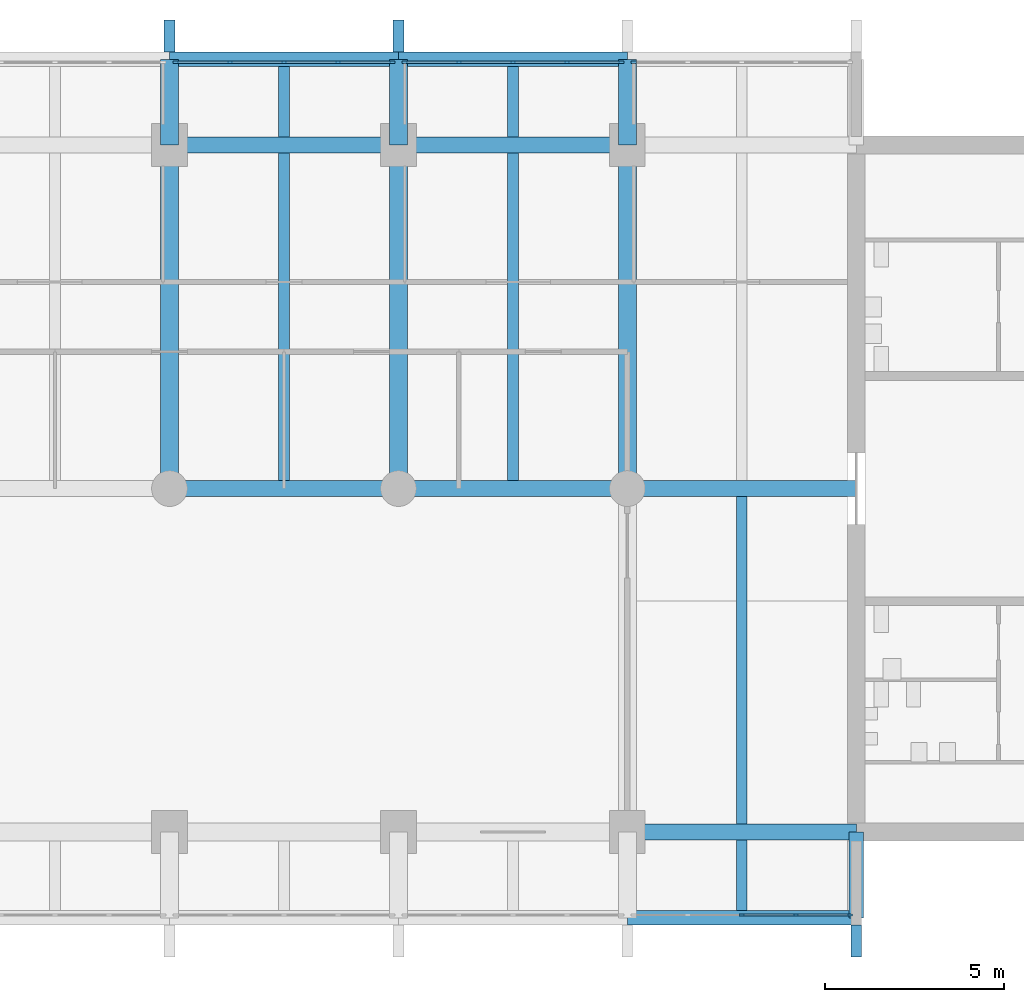
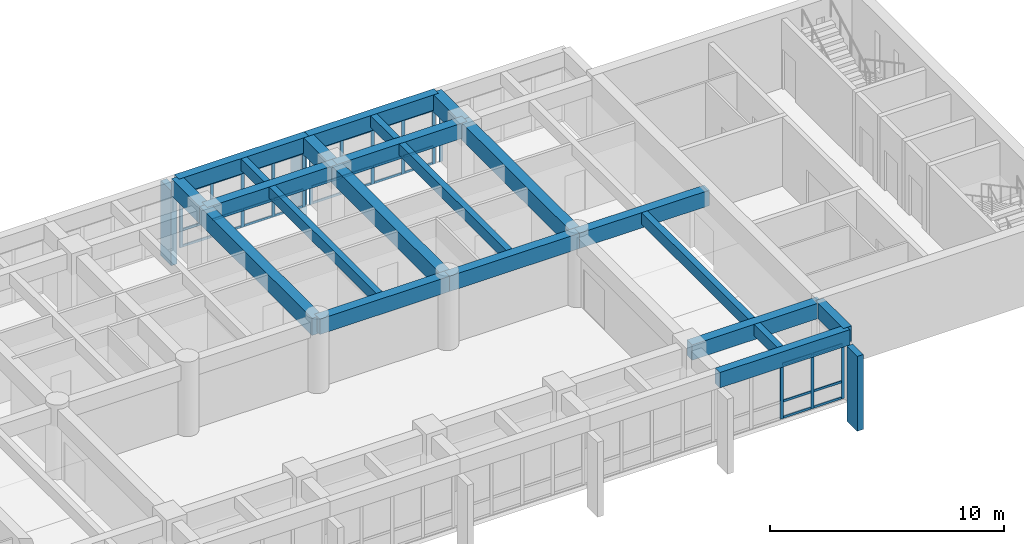
# One storey, part 5 of 15: 47 members, 22 beams, 4 elements without a shape of their own.
"""IFC4 building model written with IfcOpenShell, lengths in metres."""

from ifc_helpers import new_model, si_unit, direction, frame, origin, origin_2d, place, context, subcontext, project, spatial, rectangle, extrude, material, layer, layer_set, material_profile, profile_set, type_object, element, aggregate, save


model = new_model("IFC4")

# Units and contexts
model_context = context("Model", 3, precision=1e-05, world=origin(), true_north=direction((0.0, 1.0)))
body_context = subcontext(model_context, "Body", "Model", "MODEL_VIEW")
ifc_project = project(units=[si_unit("LENGTHUNIT", "METRE"), si_unit("AREAUNIT", "SQUARE_METRE"), si_unit("VOLUMEUNIT", "CUBIC_METRE"), si_unit("PLANEANGLEUNIT", "RADIAN"), si_unit("MASSUNIT", "GRAM", prefix="KILO")], contexts=[model_context])

# Site, building, storey
site_placement = place(None, origin())
site = spatial("IfcSite", under=ifc_project, at=site_placement, CompositionType="ELEMENT")
building_placement = place(site_placement, origin())
building = spatial("IfcBuilding", under=site, at=building_placement, Name="Fogon Plaza Fire Station and Headquarters Tower", CompositionType="ELEMENT")
storey_placement = place(building_placement, frame((0.0, 0.0, 32.699951171875)))
storey = spatial("IfcBuildingStorey", under=building, at=storey_placement, Name="L08", CompositionType="ELEMENT", Elevation=32.699951171875)

# Beams
ifc_material_1 = material(Name="Concrete C40", Category="concrete")
ifc_material_profile_1 = material_profile(ifc_material_1, rectangle(XDim=0.39990234375, YDim=0.800048828125, at=origin_2d()), Name="RC 400x800")
ifc_profile_set_1 = profile_set([ifc_material_profile_1], Name="Concrete C40")
beam_type_1 = type_object("IfcBeamType", Name="BEAM RC 400x800", PredefinedType="BEAM", material=ifc_profile_set_1)
for number, where, z_axis, x_axis, name in (
    (1, (57.60009765625, 31.199951171875, 3.280029296875), (1.0, 0.0, 0.0), (0.0, 1.0, 0.0), "beam-L08-044"),
    (2, (44.800048828125, 55.199951171875, 3.280029296875), (1.0, 0.0, 0.0), (0.0, 1.0, 0.0), "beam-L08-048"),
):
    element("IfcBeam", number, at=place(storey_placement, frame(where, z_axis=z_axis, x_axis=x_axis)), inside=storey, type_object=beam_type_1, Name=name, PredefinedType="BEAM", context=body_context, shape_type="SweptSolid", body=[
        extrude(rectangle(XDim=0.39990234375, YDim=0.800048828125, at=origin_2d()), origin(), (0.0, 0.0, 1.0), 6.39990234375),
    ])
beam_1_placement = place(storey_placement, frame((51.199951171875, 55.199951171875, 3.280029296875), z_axis=(1.0, 0.0, 0.0), x_axis=(0.0, 1.0, 0.0)))
element("IfcBeam", 3, at=beam_1_placement, inside=storey, type_object=beam_type_1, Name="beam-L08-049", PredefinedType="BEAM", context=body_context, shape_type="SweptSolid", body=[
    extrude(rectangle(XDim=0.39990234375, YDim=0.800048828125, at=origin_2d()), origin(), (0.0, 0.0, 1.0), 6.400146484375),
])
ifc_material_2 = material(Name="Concrete C40", Category="concrete")
ifc_material_profile_2 = material_profile(ifc_material_2, rectangle(XDim=0.39990234375, YDim=0.800048828125, at=origin_2d()), Name="RC 400x800")
ifc_profile_set_2 = profile_set([ifc_material_profile_2], Name="Concrete C40")
beam_type_2 = type_object("IfcBeamType", Name="BEAM RC 400x800 SPAN 0.0 TO 3.0 M", PredefinedType="BEAM", material=ifc_profile_set_2)
beam_2_placement = place(storey_placement, frame((64.0, 31.199951171875, 3.280029296875), z_axis=(0.0, 1.0, 0.0), x_axis=(-1.0, 0.0, 0.0)))
element("IfcBeam", 4, at=beam_2_placement, inside=storey, type_object=beam_type_2, Name="beam-L08-053", PredefinedType="BEAM", context=body_context, shape_type="SweptSolid", body=[
    extrude(rectangle(XDim=0.39990234375, YDim=0.800048828125, at=origin_2d()), origin(), (0.0, 0.0, 1.0), 2.400146484375),
])
ifc_material_3 = material(Name="Concrete C40", Category="concrete")
ifc_material_profile_3 = material_profile(ifc_material_3, rectangle(XDim=0.449951171875, YDim=0.800048828125, at=origin_2d()), Name="RC 450x800")
ifc_profile_set_3 = profile_set([ifc_material_profile_3], Name="Concrete C40")
beam_type_3 = type_object("IfcBeamType", Name="BEAM RC 450x800", PredefinedType="BEAM", material=ifc_profile_set_3)
for number, where, z_axis, x_axis, name in (
    (5, (57.60009765625, 33.60009765625, 3.280029296875), (1.0, 0.0, 0.0), (0.0, 1.0, 0.0), "beam-L08-026"),
    (6, (44.800048828125, 43.199951171875, 3.280029296875), (1.0, 0.0, 0.0), (0.0, 1.0, 0.0), "beam-L08-030"),
):
    element("IfcBeam", number, at=place(storey_placement, frame(where, z_axis=z_axis, x_axis=x_axis)), inside=storey, type_object=beam_type_3, Name=name, PredefinedType="BEAM", context=body_context, shape_type="SweptSolid", body=[
        extrude(rectangle(XDim=0.449951171875, YDim=0.800048828125, at=origin_2d()), origin(), (0.0, 0.0, 1.0), 6.39990234375),
    ])
beam_3_placement = place(storey_placement, frame((51.199951171875, 43.199951171875, 3.280029296875), z_axis=(1.0, 0.0, 0.0), x_axis=(0.0, 1.0, 0.0)))
element("IfcBeam", 7, at=beam_3_placement, inside=storey, type_object=beam_type_3, Name="beam-L08-031", PredefinedType="BEAM", context=body_context, shape_type="SweptSolid", body=[
    extrude(rectangle(XDim=0.449951171875, YDim=0.800048828125, at=origin_2d()), origin(), (0.0, 0.0, 1.0), 6.400146484375),
])
for number, where, z_axis, x_axis, name in (
    (8, (57.60009765625, 43.199951171875, 3.280029296875), (1.0, 0.0, 0.0), (0.0, 1.0, 0.0), "beam-L08-032"),
    (9, (44.800048828125, 52.800048828125, 3.280029296875), (1.0, 0.0, 0.0), (0.0, 1.0, 0.0), "beam-L08-036"),
):
    element("IfcBeam", number, at=place(storey_placement, frame(where, z_axis=z_axis, x_axis=x_axis)), inside=storey, type_object=beam_type_3, Name=name, PredefinedType="BEAM", context=body_context, shape_type="SweptSolid", body=[
        extrude(rectangle(XDim=0.449951171875, YDim=0.800048828125, at=origin_2d()), origin(), (0.0, 0.0, 1.0), 6.39990234375),
    ])
beam_4_placement = place(storey_placement, frame((51.199951171875, 52.800048828125, 3.280029296875), z_axis=(1.0, 0.0, 0.0), x_axis=(0.0, 1.0, 0.0)))
element("IfcBeam", 10, at=beam_4_placement, inside=storey, type_object=beam_type_3, Name="beam-L08-037", PredefinedType="BEAM", context=body_context, shape_type="SweptSolid", body=[
    extrude(rectangle(XDim=0.449951171875, YDim=0.800048828125, at=origin_2d()), origin(), (0.0, 0.0, 1.0), 6.400146484375),
])
ifc_material_4 = material(Name="Concrete C40", Category="concrete")
ifc_material_profile_4 = material_profile(ifc_material_4, rectangle(XDim=0.5, YDim=0.89990234375, at=origin_2d()), Name="RC 500x900")
ifc_profile_set_4 = profile_set([ifc_material_profile_4], Name="Concrete C40")
beam_type_4 = type_object("IfcBeamType", Name="BEAM RC 500x900 SPAN 0.0 TO 3.0 M", PredefinedType="BEAM", material=ifc_profile_set_4)
for number, where, z_axis, x_axis, name in (
    (11, (44.800048828125, 52.800048828125, 3.22998046875), (0.0, 1.0, 0.0), (-1.0, 0.0, 0.0), "beam-L08-012"),
    (12, (51.199951171875, 52.800048828125, 3.22998046875), (0.0, 1.0, 0.0), (-1.0, 0.0, 0.0), "beam-L08-016"),
    (13, (57.60009765625, 52.800048828125, 3.22998046875), (0.0, 1.0, 0.0), (-1.0, 0.0, 0.0), "beam-L08-020"),
):
    element("IfcBeam", number, at=place(storey_placement, frame(where, z_axis=z_axis, x_axis=x_axis)), inside=storey, type_object=beam_type_4, Name=name, PredefinedType="BEAM", context=body_context, shape_type="SweptSolid", body=[
        extrude(rectangle(XDim=0.5, YDim=0.89990234375, at=origin_2d()), origin(), (0.0, 0.0, 1.0), 2.39990234375),
    ])
ifc_material_5 = material(Name="Concrete C40", Category="concrete")
ifc_material_profile_5 = material_profile(ifc_material_5, rectangle(XDim=0.5, YDim=0.89990234375, at=origin_2d()), Name="RC 500x900")
ifc_profile_set_5 = profile_set([ifc_material_profile_5], Name="Concrete C40")
beam_type_5 = type_object("IfcBeamType", Name="BEAM RC 500x900 SPAN 7.7 TO 12.3 M", PredefinedType="BEAM", material=ifc_profile_set_5)
for number, where, z_axis, x_axis, name in (
    (14, (44.800048828125, 43.199951171875, 3.22998046875), (0.0, 1.0, 0.0), (-1.0, 0.0, 0.0), "beam-L08-011"),
    (15, (51.199951171875, 43.199951171875, 3.22998046875), (0.0, 1.0, 0.0), (-1.0, 0.0, 0.0), "beam-L08-015"),
    (16, (57.60009765625, 43.199951171875, 3.22998046875), (0.0, 1.0, 0.0), (-1.0, 0.0, 0.0), "beam-L08-019"),
):
    element("IfcBeam", number, at=place(storey_placement, frame(where, z_axis=z_axis, x_axis=x_axis)), inside=storey, type_object=beam_type_5, Name=name, PredefinedType="BEAM", context=body_context, shape_type="SweptSolid", body=[
        extrude(rectangle(XDim=0.5, YDim=0.89990234375, at=origin_2d()), origin(), (0.0, 0.0, 1.0), 9.60009765625),
    ])

# Curtain wall, members
ifc_material_6 = material(Name="Aluminium and glass", Category="aluminium")
ifc_layer = layer(ifc_material_6, 0.14990234375)
ifc_layer_set = layer_set([ifc_layer], Name="Aluminium and glass")
curtain_wall_type = type_object("IfcCurtainWallType", Name="Unitised Curtain Wall Run 6100x2880", PredefinedType="NOTDEFINED", material=ifc_layer_set)
curtain_wall_1_placement = place(storey_placement, origin())
curtain_wall_1 = element("IfcCurtainWall", 17, at=curtain_wall_1_placement, inside=storey, type_object=curtain_wall_type, Name="CW-6100x2880 S6 L08", PredefinedType="NOTDEFINED")
ifc_material_7 = material(Name="Aluminium", Category="aluminium")
ifc_material_profile_6 = material_profile(ifc_material_7, rectangle(XDim=0.06005859375, YDim=0.159912109375, at=origin_2d()), Name="Curtain Wall Mullion 60x160")
ifc_profile_set_6 = profile_set([ifc_material_profile_6], Name="Aluminium")
member_type_1 = type_object("IfcMemberType", Name="Curtain Wall Mullion 60x160", PredefinedType="MULLION", material=ifc_profile_set_6)
member_1_placement = place(storey_placement, frame((60.800048828125, 31.280029296875, 0.0), z_axis=(0.0, 0.0, 1.0), x_axis=(0.0, 1.0, 0.0)))
member_1 = element("IfcMember", 18, at=member_1_placement, type_object=member_type_1, Name="CW-6100x2880 mullion 3", PredefinedType="MULLION", context=body_context, shape_type="SweptSolid", body=[
    extrude(rectangle(XDim=0.06005859375, YDim=0.159912109375, at=origin_2d()), origin(), (0.0, 0.0, 1.0), 2.880126953125),
])
member_2_placement = place(storey_placement, frame((62.31005859375, 31.280029296875, 0.0), z_axis=(0.0, 0.0, 1.0), x_axis=(0.0, 1.0, 0.0)))
member_2 = element("IfcMember", 19, at=member_2_placement, type_object=member_type_1, Name="CW-6100x2880 mullion 4", PredefinedType="MULLION", context=body_context, shape_type="SweptSolid", body=[
    extrude(rectangle(XDim=0.06005859375, YDim=0.159912109375, at=origin_2d()), origin(), (0.0, 0.0, 1.0), 2.880126953125),
])
member_3_placement = place(storey_placement, frame((63.820068359375, 31.280029296875, 0.0), z_axis=(0.0, 0.0, 1.0), x_axis=(0.0, 1.0, 0.0)))
member_3 = element("IfcMember", 20, at=member_3_placement, type_object=member_type_1, Name="CW-6100x2880 mullion 5", PredefinedType="MULLION", context=body_context, shape_type="SweptSolid", body=[
    extrude(rectangle(XDim=0.06005859375, YDim=0.159912109375, at=origin_2d()), origin(), (0.0, 0.0, 1.0), 2.880126953125),
])

curtain_wall_2_placement = place(storey_placement, origin())
curtain_wall_2 = element("IfcCurtainWall", 21, at=curtain_wall_2_placement, inside=storey, type_object=curtain_wall_type, Name="CW-6100x2880 N4 L08", PredefinedType="NOTDEFINED")
member_4_placement = place(storey_placement, frame((44.97998046875, 55.1201171875, 0.0), z_axis=(0.0, 0.0, 1.0), x_axis=(0.0, 1.0, 0.0)))
member_4 = element("IfcMember", 22, at=member_4_placement, type_object=member_type_1, Name="CW-6100x2880 mullion 1", PredefinedType="MULLION", context=body_context, shape_type="SweptSolid", body=[
    extrude(rectangle(XDim=0.06005859375, YDim=0.159912109375, at=origin_2d()), origin(), (0.0, 0.0, 1.0), 2.880126953125),
])
member_5_placement = place(storey_placement, frame((46.489990234375, 55.1201171875, 0.0), z_axis=(0.0, 0.0, 1.0), x_axis=(0.0, 1.0, 0.0)))
member_5 = element("IfcMember", 23, at=member_5_placement, type_object=member_type_1, Name="CW-6100x2880 mullion 2", PredefinedType="MULLION", context=body_context, shape_type="SweptSolid", body=[
    extrude(rectangle(XDim=0.06005859375, YDim=0.159912109375, at=origin_2d()), origin(), (0.0, 0.0, 1.0), 2.880126953125),
])
member_6_placement = place(storey_placement, frame((48.0, 55.1201171875, 0.0), z_axis=(0.0, 0.0, 1.0), x_axis=(0.0, 1.0, 0.0)))
member_6 = element("IfcMember", 24, at=member_6_placement, type_object=member_type_1, Name="CW-6100x2880 mullion 3", PredefinedType="MULLION", context=body_context, shape_type="SweptSolid", body=[
    extrude(rectangle(XDim=0.06005859375, YDim=0.159912109375, at=origin_2d()), origin(), (0.0, 0.0, 1.0), 2.880126953125),
])
member_7_placement = place(storey_placement, frame((49.510009765625, 55.1201171875, 0.0), z_axis=(0.0, 0.0, 1.0), x_axis=(0.0, 1.0, 0.0)))
member_7 = element("IfcMember", 25, at=member_7_placement, type_object=member_type_1, Name="CW-6100x2880 mullion 4", PredefinedType="MULLION", context=body_context, shape_type="SweptSolid", body=[
    extrude(rectangle(XDim=0.06005859375, YDim=0.159912109375, at=origin_2d()), origin(), (0.0, 0.0, 1.0), 2.880126953125),
])
member_8_placement = place(storey_placement, frame((51.02001953125, 55.1201171875, 0.0), z_axis=(0.0, 0.0, 1.0), x_axis=(0.0, 1.0, 0.0)))
member_8 = element("IfcMember", 26, at=member_8_placement, type_object=member_type_1, Name="CW-6100x2880 mullion 5", PredefinedType="MULLION", context=body_context, shape_type="SweptSolid", body=[
    extrude(rectangle(XDim=0.06005859375, YDim=0.159912109375, at=origin_2d()), origin(), (0.0, 0.0, 1.0), 2.880126953125),
])

curtain_wall_3_placement = place(storey_placement, origin())
curtain_wall_3 = element("IfcCurtainWall", 27, at=curtain_wall_3_placement, inside=storey, type_object=curtain_wall_type, Name="CW-6100x2880 N5 L08", PredefinedType="NOTDEFINED")
member_9_placement = place(storey_placement, frame((51.3798828125, 55.1201171875, 0.0), z_axis=(0.0, 0.0, 1.0), x_axis=(0.0, 1.0, 0.0)))
member_9 = element("IfcMember", 28, at=member_9_placement, type_object=member_type_1, Name="CW-6100x2880 mullion 1", PredefinedType="MULLION", context=body_context, shape_type="SweptSolid", body=[
    extrude(rectangle(XDim=0.06005859375, YDim=0.159912109375, at=origin_2d()), origin(), (0.0, 0.0, 1.0), 2.880126953125),
])
member_10_placement = place(storey_placement, frame((52.889892578125, 55.1201171875, 0.0), z_axis=(0.0, 0.0, 1.0), x_axis=(0.0, 1.0, 0.0)))
member_10 = element("IfcMember", 29, at=member_10_placement, type_object=member_type_1, Name="CW-6100x2880 mullion 2", PredefinedType="MULLION", context=body_context, shape_type="SweptSolid", body=[
    extrude(rectangle(XDim=0.06005859375, YDim=0.159912109375, at=origin_2d()), origin(), (0.0, 0.0, 1.0), 2.880126953125),
])
member_11_placement = place(storey_placement, frame((54.39990234375, 55.1201171875, 0.0), z_axis=(0.0, 0.0, 1.0), x_axis=(0.0, 1.0, 0.0)))
member_11 = element("IfcMember", 30, at=member_11_placement, type_object=member_type_1, Name="CW-6100x2880 mullion 3", PredefinedType="MULLION", context=body_context, shape_type="SweptSolid", body=[
    extrude(rectangle(XDim=0.06005859375, YDim=0.159912109375, at=origin_2d()), origin(), (0.0, 0.0, 1.0), 2.880126953125),
])
member_12_placement = place(storey_placement, frame((55.909912109375, 55.1201171875, 0.0), z_axis=(0.0, 0.0, 1.0), x_axis=(0.0, 1.0, 0.0)))
member_12 = element("IfcMember", 31, at=member_12_placement, type_object=member_type_1, Name="CW-6100x2880 mullion 4", PredefinedType="MULLION", context=body_context, shape_type="SweptSolid", body=[
    extrude(rectangle(XDim=0.06005859375, YDim=0.159912109375, at=origin_2d()), origin(), (0.0, 0.0, 1.0), 2.880126953125),
])
member_13_placement = place(storey_placement, frame((57.419921875, 55.1201171875, 0.0), z_axis=(0.0, 0.0, 1.0), x_axis=(0.0, 1.0, 0.0)))
member_13 = element("IfcMember", 32, at=member_13_placement, type_object=member_type_1, Name="CW-6100x2880 mullion 5", PredefinedType="MULLION", context=body_context, shape_type="SweptSolid", body=[
    extrude(rectangle(XDim=0.06005859375, YDim=0.159912109375, at=origin_2d()), origin(), (0.0, 0.0, 1.0), 2.880126953125),
])

# Curtain wall, member
curtain_wall_4_placement = place(storey_placement, origin())
curtain_wall_4 = element("IfcCurtainWall", 33, at=curtain_wall_4_placement, inside=storey, type_object=curtain_wall_type, Name="CW-6100x2880 N6 L08", PredefinedType="NOTDEFINED")
member_14_placement = place(storey_placement, frame((57.780029296875, 55.1201171875, 0.0), z_axis=(0.0, 0.0, 1.0), x_axis=(0.0, 1.0, 0.0)))
member_14 = element("IfcMember", 34, at=member_14_placement, type_object=member_type_1, Name="CW-6100x2880 mullion 1", PredefinedType="MULLION", context=body_context, shape_type="SweptSolid", body=[
    extrude(rectangle(XDim=0.06005859375, YDim=0.159912109375, at=origin_2d()), origin(), (0.0, 0.0, 1.0), 2.880126953125),
])
aggregate(curtain_wall_4, [member_14])

# Member
ifc_material_8 = material(Name="Aluminium", Category="aluminium")
ifc_material_profile_7 = material_profile(ifc_material_8, rectangle(XDim=0.06005859375, YDim=0.1201171875, at=origin_2d()), Name="Curtain Wall Transom 60x120")
ifc_profile_set_7 = profile_set([ifc_material_profile_7], Name="Aluminium")
member_type_2 = type_object("IfcMemberType", Name="Curtain Wall Transom 60x120", PredefinedType="USERDEFINED", material=ifc_profile_set_7)
member_15_placement = place(storey_placement, frame((60.830078125, 31.280029296875, 0.06005859375), z_axis=(1.0, 0.0, 0.0), x_axis=(0.0, 1.0, 0.0)))
member_15 = element("IfcMember", 35, at=member_15_placement, type_object=member_type_2, Name="CW-6100x2880 transom 3.1", ObjectType="TRANSOM", PredefinedType="USERDEFINED", context=body_context, shape_type="SweptSolid", body=[
    extrude(rectangle(XDim=0.06005859375, YDim=0.1201171875, at=origin_2d()), origin(), (0.0, 0.0, 1.0), 1.449951171875),
])

member_16_placement = place(storey_placement, frame((60.830078125, 31.280029296875, 0.900146484375), z_axis=(1.0, 0.0, 0.0), x_axis=(0.0, 1.0, 0.0)))
member_16 = element("IfcMember", 36, at=member_16_placement, type_object=member_type_2, Name="CW-6100x2880 transom 3.2", ObjectType="TRANSOM", PredefinedType="USERDEFINED", context=body_context, shape_type="SweptSolid", body=[
    extrude(rectangle(XDim=0.06005859375, YDim=0.1201171875, at=origin_2d()), origin(), (0.0, 0.0, 1.0), 1.449951171875),
])

member_17_placement = place(storey_placement, frame((60.830078125, 31.280029296875, 2.820068359375), z_axis=(1.0, 0.0, 0.0), x_axis=(0.0, 1.0, 0.0)))
member_17 = element("IfcMember", 37, at=member_17_placement, type_object=member_type_2, Name="CW-6100x2880 transom 3.3", ObjectType="TRANSOM", PredefinedType="USERDEFINED", context=body_context, shape_type="SweptSolid", body=[
    extrude(rectangle(XDim=0.06005859375, YDim=0.1201171875, at=origin_2d()), origin(), (0.0, 0.0, 1.0), 1.449951171875),
])

member_18_placement = place(storey_placement, frame((62.340087890625, 31.280029296875, 0.06005859375), z_axis=(1.0, 0.0, 0.0), x_axis=(0.0, 1.0, 0.0)))
member_18 = element("IfcMember", 38, at=member_18_placement, type_object=member_type_2, Name="CW-6100x2880 transom 4.1", ObjectType="TRANSOM", PredefinedType="USERDEFINED", context=body_context, shape_type="SweptSolid", body=[
    extrude(rectangle(XDim=0.06005859375, YDim=0.1201171875, at=origin_2d()), origin(), (0.0, 0.0, 1.0), 1.449951171875),
])

member_19_placement = place(storey_placement, frame((62.340087890625, 31.280029296875, 0.900146484375), z_axis=(1.0, 0.0, 0.0), x_axis=(0.0, 1.0, 0.0)))
member_19 = element("IfcMember", 39, at=member_19_placement, type_object=member_type_2, Name="CW-6100x2880 transom 4.2", ObjectType="TRANSOM", PredefinedType="USERDEFINED", context=body_context, shape_type="SweptSolid", body=[
    extrude(rectangle(XDim=0.06005859375, YDim=0.1201171875, at=origin_2d()), origin(), (0.0, 0.0, 1.0), 1.449951171875),
])

member_20_placement = place(storey_placement, frame((62.340087890625, 31.280029296875, 2.820068359375), z_axis=(1.0, 0.0, 0.0), x_axis=(0.0, 1.0, 0.0)))
member_20 = element("IfcMember", 40, at=member_20_placement, type_object=member_type_2, Name="CW-6100x2880 transom 4.3", ObjectType="TRANSOM", PredefinedType="USERDEFINED", context=body_context, shape_type="SweptSolid", body=[
    extrude(rectangle(XDim=0.06005859375, YDim=0.1201171875, at=origin_2d()), origin(), (0.0, 0.0, 1.0), 1.449951171875),
])

aggregate(curtain_wall_1, [member_1, member_2, member_3, member_15, member_16, member_17, member_18, member_19, member_20])

member_21_placement = place(storey_placement, frame((45.010009765625, 55.1201171875, 0.06005859375), z_axis=(1.0, 0.0, 0.0), x_axis=(0.0, 1.0, 0.0)))
member_21 = element("IfcMember", 41, at=member_21_placement, type_object=member_type_2, Name="CW-6100x2880 transom 1.1", ObjectType="TRANSOM", PredefinedType="USERDEFINED", context=body_context, shape_type="SweptSolid", body=[
    extrude(rectangle(XDim=0.06005859375, YDim=0.1201171875, at=origin_2d()), origin(), (0.0, 0.0, 1.0), 1.449951171875),
])

member_22_placement = place(storey_placement, frame((45.010009765625, 55.1201171875, 0.900146484375), z_axis=(1.0, 0.0, 0.0), x_axis=(0.0, 1.0, 0.0)))
member_22 = element("IfcMember", 42, at=member_22_placement, type_object=member_type_2, Name="CW-6100x2880 transom 1.2", ObjectType="TRANSOM", PredefinedType="USERDEFINED", context=body_context, shape_type="SweptSolid", body=[
    extrude(rectangle(XDim=0.06005859375, YDim=0.1201171875, at=origin_2d()), origin(), (0.0, 0.0, 1.0), 1.449951171875),
])

member_23_placement = place(storey_placement, frame((45.010009765625, 55.1201171875, 2.820068359375), z_axis=(1.0, 0.0, 0.0), x_axis=(0.0, 1.0, 0.0)))
member_23 = element("IfcMember", 43, at=member_23_placement, type_object=member_type_2, Name="CW-6100x2880 transom 1.3", ObjectType="TRANSOM", PredefinedType="USERDEFINED", context=body_context, shape_type="SweptSolid", body=[
    extrude(rectangle(XDim=0.06005859375, YDim=0.1201171875, at=origin_2d()), origin(), (0.0, 0.0, 1.0), 1.449951171875),
])

member_24_placement = place(storey_placement, frame((46.52001953125, 55.1201171875, 0.06005859375), z_axis=(1.0, 0.0, 0.0), x_axis=(0.0, 1.0, 0.0)))
member_24 = element("IfcMember", 44, at=member_24_placement, type_object=member_type_2, Name="CW-6100x2880 transom 2.1", ObjectType="TRANSOM", PredefinedType="USERDEFINED", context=body_context, shape_type="SweptSolid", body=[
    extrude(rectangle(XDim=0.06005859375, YDim=0.1201171875, at=origin_2d()), origin(), (0.0, 0.0, 1.0), 1.449951171875),
])

member_25_placement = place(storey_placement, frame((46.52001953125, 55.1201171875, 0.900146484375), z_axis=(1.0, 0.0, 0.0), x_axis=(0.0, 1.0, 0.0)))
member_25 = element("IfcMember", 45, at=member_25_placement, type_object=member_type_2, Name="CW-6100x2880 transom 2.2", ObjectType="TRANSOM", PredefinedType="USERDEFINED", context=body_context, shape_type="SweptSolid", body=[
    extrude(rectangle(XDim=0.06005859375, YDim=0.1201171875, at=origin_2d()), origin(), (0.0, 0.0, 1.0), 1.449951171875),
])

member_26_placement = place(storey_placement, frame((46.52001953125, 55.1201171875, 2.820068359375), z_axis=(1.0, 0.0, 0.0), x_axis=(0.0, 1.0, 0.0)))
member_26 = element("IfcMember", 46, at=member_26_placement, type_object=member_type_2, Name="CW-6100x2880 transom 2.3", ObjectType="TRANSOM", PredefinedType="USERDEFINED", context=body_context, shape_type="SweptSolid", body=[
    extrude(rectangle(XDim=0.06005859375, YDim=0.1201171875, at=origin_2d()), origin(), (0.0, 0.0, 1.0), 1.449951171875),
])

member_27_placement = place(storey_placement, frame((48.030029296875, 55.1201171875, 0.06005859375), z_axis=(1.0, 0.0, 0.0), x_axis=(0.0, 1.0, 0.0)))
member_27 = element("IfcMember", 47, at=member_27_placement, type_object=member_type_2, Name="CW-6100x2880 transom 3.1", ObjectType="TRANSOM", PredefinedType="USERDEFINED", context=body_context, shape_type="SweptSolid", body=[
    extrude(rectangle(XDim=0.06005859375, YDim=0.1201171875, at=origin_2d()), origin(), (0.0, 0.0, 1.0), 1.449951171875),
])

member_28_placement = place(storey_placement, frame((48.030029296875, 55.1201171875, 0.900146484375), z_axis=(1.0, 0.0, 0.0), x_axis=(0.0, 1.0, 0.0)))
member_28 = element("IfcMember", 48, at=member_28_placement, type_object=member_type_2, Name="CW-6100x2880 transom 3.2", ObjectType="TRANSOM", PredefinedType="USERDEFINED", context=body_context, shape_type="SweptSolid", body=[
    extrude(rectangle(XDim=0.06005859375, YDim=0.1201171875, at=origin_2d()), origin(), (0.0, 0.0, 1.0), 1.449951171875),
])

member_29_placement = place(storey_placement, frame((48.030029296875, 55.1201171875, 2.820068359375), z_axis=(1.0, 0.0, 0.0), x_axis=(0.0, 1.0, 0.0)))
member_29 = element("IfcMember", 49, at=member_29_placement, type_object=member_type_2, Name="CW-6100x2880 transom 3.3", ObjectType="TRANSOM", PredefinedType="USERDEFINED", context=body_context, shape_type="SweptSolid", body=[
    extrude(rectangle(XDim=0.06005859375, YDim=0.1201171875, at=origin_2d()), origin(), (0.0, 0.0, 1.0), 1.449951171875),
])

member_30_placement = place(storey_placement, frame((49.5400390625, 55.1201171875, 0.06005859375), z_axis=(1.0, 0.0, 0.0), x_axis=(0.0, 1.0, 0.0)))
member_30 = element("IfcMember", 50, at=member_30_placement, type_object=member_type_2, Name="CW-6100x2880 transom 4.1", ObjectType="TRANSOM", PredefinedType="USERDEFINED", context=body_context, shape_type="SweptSolid", body=[
    extrude(rectangle(XDim=0.06005859375, YDim=0.1201171875, at=origin_2d()), origin(), (0.0, 0.0, 1.0), 1.449951171875),
])

member_31_placement = place(storey_placement, frame((49.5400390625, 55.1201171875, 0.900146484375), z_axis=(1.0, 0.0, 0.0), x_axis=(0.0, 1.0, 0.0)))
member_31 = element("IfcMember", 51, at=member_31_placement, type_object=member_type_2, Name="CW-6100x2880 transom 4.2", ObjectType="TRANSOM", PredefinedType="USERDEFINED", context=body_context, shape_type="SweptSolid", body=[
    extrude(rectangle(XDim=0.06005859375, YDim=0.1201171875, at=origin_2d()), origin(), (0.0, 0.0, 1.0), 1.449951171875),
])

member_32_placement = place(storey_placement, frame((49.5400390625, 55.1201171875, 2.820068359375), z_axis=(1.0, 0.0, 0.0), x_axis=(0.0, 1.0, 0.0)))
member_32 = element("IfcMember", 52, at=member_32_placement, type_object=member_type_2, Name="CW-6100x2880 transom 4.3", ObjectType="TRANSOM", PredefinedType="USERDEFINED", context=body_context, shape_type="SweptSolid", body=[
    extrude(rectangle(XDim=0.06005859375, YDim=0.1201171875, at=origin_2d()), origin(), (0.0, 0.0, 1.0), 1.449951171875),
])

aggregate(curtain_wall_2, [member_4, member_5, member_6, member_7, member_8, member_21, member_22, member_23, member_24, member_25, member_26, member_27, member_28, member_29, member_30, member_31, member_32])

member_33_placement = place(storey_placement, frame((51.409912109375, 55.1201171875, 0.06005859375), z_axis=(1.0, 0.0, 0.0), x_axis=(0.0, 1.0, 0.0)))
member_33 = element("IfcMember", 53, at=member_33_placement, type_object=member_type_2, Name="CW-6100x2880 transom 1.1", ObjectType="TRANSOM", PredefinedType="USERDEFINED", context=body_context, shape_type="SweptSolid", body=[
    extrude(rectangle(XDim=0.06005859375, YDim=0.1201171875, at=origin_2d()), origin(), (0.0, 0.0, 1.0), 1.4501953125),
])

member_34_placement = place(storey_placement, frame((51.409912109375, 55.1201171875, 0.900146484375), z_axis=(1.0, 0.0, 0.0), x_axis=(0.0, 1.0, 0.0)))
member_34 = element("IfcMember", 54, at=member_34_placement, type_object=member_type_2, Name="CW-6100x2880 transom 1.2", ObjectType="TRANSOM", PredefinedType="USERDEFINED", context=body_context, shape_type="SweptSolid", body=[
    extrude(rectangle(XDim=0.06005859375, YDim=0.1201171875, at=origin_2d()), origin(), (0.0, 0.0, 1.0), 1.4501953125),
])

member_35_placement = place(storey_placement, frame((51.409912109375, 55.1201171875, 2.820068359375), z_axis=(1.0, 0.0, 0.0), x_axis=(0.0, 1.0, 0.0)))
member_35 = element("IfcMember", 55, at=member_35_placement, type_object=member_type_2, Name="CW-6100x2880 transom 1.3", ObjectType="TRANSOM", PredefinedType="USERDEFINED", context=body_context, shape_type="SweptSolid", body=[
    extrude(rectangle(XDim=0.06005859375, YDim=0.1201171875, at=origin_2d()), origin(), (0.0, 0.0, 1.0), 1.4501953125),
])

member_36_placement = place(storey_placement, frame((52.919921875, 55.1201171875, 0.06005859375), z_axis=(1.0, 0.0, 0.0), x_axis=(0.0, 1.0, 0.0)))
member_36 = element("IfcMember", 56, at=member_36_placement, type_object=member_type_2, Name="CW-6100x2880 transom 2.1", ObjectType="TRANSOM", PredefinedType="USERDEFINED", context=body_context, shape_type="SweptSolid", body=[
    extrude(rectangle(XDim=0.06005859375, YDim=0.1201171875, at=origin_2d()), origin(), (0.0, 0.0, 1.0), 1.4501953125),
])

member_37_placement = place(storey_placement, frame((52.919921875, 55.1201171875, 0.900146484375), z_axis=(1.0, 0.0, 0.0), x_axis=(0.0, 1.0, 0.0)))
member_37 = element("IfcMember", 57, at=member_37_placement, type_object=member_type_2, Name="CW-6100x2880 transom 2.2", ObjectType="TRANSOM", PredefinedType="USERDEFINED", context=body_context, shape_type="SweptSolid", body=[
    extrude(rectangle(XDim=0.06005859375, YDim=0.1201171875, at=origin_2d()), origin(), (0.0, 0.0, 1.0), 1.4501953125),
])

member_38_placement = place(storey_placement, frame((52.919921875, 55.1201171875, 2.820068359375), z_axis=(1.0, 0.0, 0.0), x_axis=(0.0, 1.0, 0.0)))
member_38 = element("IfcMember", 58, at=member_38_placement, type_object=member_type_2, Name="CW-6100x2880 transom 2.3", ObjectType="TRANSOM", PredefinedType="USERDEFINED", context=body_context, shape_type="SweptSolid", body=[
    extrude(rectangle(XDim=0.06005859375, YDim=0.1201171875, at=origin_2d()), origin(), (0.0, 0.0, 1.0), 1.4501953125),
])

member_39_placement = place(storey_placement, frame((54.429931640625, 55.1201171875, 0.06005859375), z_axis=(1.0, 0.0, 0.0), x_axis=(0.0, 1.0, 0.0)))
member_39 = element("IfcMember", 59, at=member_39_placement, type_object=member_type_2, Name="CW-6100x2880 transom 3.1", ObjectType="TRANSOM", PredefinedType="USERDEFINED", context=body_context, shape_type="SweptSolid", body=[
    extrude(rectangle(XDim=0.06005859375, YDim=0.1201171875, at=origin_2d()), origin(), (0.0, 0.0, 1.0), 1.449951171875),
])

member_40_placement = place(storey_placement, frame((54.429931640625, 55.1201171875, 0.900146484375), z_axis=(1.0, 0.0, 0.0), x_axis=(0.0, 1.0, 0.0)))
member_40 = element("IfcMember", 60, at=member_40_placement, type_object=member_type_2, Name="CW-6100x2880 transom 3.2", ObjectType="TRANSOM", PredefinedType="USERDEFINED", context=body_context, shape_type="SweptSolid", body=[
    extrude(rectangle(XDim=0.06005859375, YDim=0.1201171875, at=origin_2d()), origin(), (0.0, 0.0, 1.0), 1.449951171875),
])

member_41_placement = place(storey_placement, frame((54.429931640625, 55.1201171875, 2.820068359375), z_axis=(1.0, 0.0, 0.0), x_axis=(0.0, 1.0, 0.0)))
member_41 = element("IfcMember", 61, at=member_41_placement, type_object=member_type_2, Name="CW-6100x2880 transom 3.3", ObjectType="TRANSOM", PredefinedType="USERDEFINED", context=body_context, shape_type="SweptSolid", body=[
    extrude(rectangle(XDim=0.06005859375, YDim=0.1201171875, at=origin_2d()), origin(), (0.0, 0.0, 1.0), 1.449951171875),
])

member_42_placement = place(storey_placement, frame((55.93994140625, 55.1201171875, 0.06005859375), z_axis=(1.0, 0.0, 0.0), x_axis=(0.0, 1.0, 0.0)))
member_42 = element("IfcMember", 62, at=member_42_placement, type_object=member_type_2, Name="CW-6100x2880 transom 4.1", ObjectType="TRANSOM", PredefinedType="USERDEFINED", context=body_context, shape_type="SweptSolid", body=[
    extrude(rectangle(XDim=0.06005859375, YDim=0.1201171875, at=origin_2d()), origin(), (0.0, 0.0, 1.0), 1.449951171875),
])

member_43_placement = place(storey_placement, frame((55.93994140625, 55.1201171875, 0.900146484375), z_axis=(1.0, 0.0, 0.0), x_axis=(0.0, 1.0, 0.0)))
member_43 = element("IfcMember", 63, at=member_43_placement, type_object=member_type_2, Name="CW-6100x2880 transom 4.2", ObjectType="TRANSOM", PredefinedType="USERDEFINED", context=body_context, shape_type="SweptSolid", body=[
    extrude(rectangle(XDim=0.06005859375, YDim=0.1201171875, at=origin_2d()), origin(), (0.0, 0.0, 1.0), 1.449951171875),
])

member_44_placement = place(storey_placement, frame((55.93994140625, 55.1201171875, 2.820068359375), z_axis=(1.0, 0.0, 0.0), x_axis=(0.0, 1.0, 0.0)))
member_44 = element("IfcMember", 64, at=member_44_placement, type_object=member_type_2, Name="CW-6100x2880 transom 4.3", ObjectType="TRANSOM", PredefinedType="USERDEFINED", context=body_context, shape_type="SweptSolid", body=[
    extrude(rectangle(XDim=0.06005859375, YDim=0.1201171875, at=origin_2d()), origin(), (0.0, 0.0, 1.0), 1.449951171875),
])

aggregate(curtain_wall_3, [member_9, member_10, member_11, member_12, member_13, member_33, member_34, member_35, member_36, member_37, member_38, member_39, member_40, member_41, member_42, member_43, member_44])

# Beams
ifc_material_9 = material(Name="Concrete C40", Category="concrete")
ifc_material_profile_8 = material_profile(ifc_material_9, rectangle(XDim=0.300048828125, YDim=0.60009765625, at=origin_2d()), Name="RC 300x600")
ifc_profile_set_8 = profile_set([ifc_material_profile_8], Name="Concrete C40")
beam_type_6 = type_object("IfcBeamType", Name="JOIST RC 300x600", PredefinedType="JOIST", material=ifc_profile_set_8)
for number, where, z_axis, x_axis, name in (
    (65, (48.0, 43.425048828125, 3.380126953125), (0.0, 1.0, 0.0), (-1.0, 0.0, 0.0), "beam-L08-069"),
    (66, (54.39990234375, 43.425048828125, 3.380126953125), (0.0, 1.0, 0.0), (-1.0, 0.0, 0.0), "beam-L08-073"),
):
    element("IfcBeam", number, at=place(storey_placement, frame(where, z_axis=z_axis, x_axis=x_axis)), inside=storey, type_object=beam_type_6, Name=name, PredefinedType="JOIST", context=body_context, shape_type="SweptSolid", body=[
        extrude(rectangle(XDim=0.300048828125, YDim=0.60009765625, at=origin_2d()), origin(), (0.0, 0.0, 1.0), 9.14990234375),
    ])
beam_5_placement = place(storey_placement, frame((60.800048828125, 33.824951171875, 3.380126953125), z_axis=(0.0, 1.0, 0.0), x_axis=(-1.0, 0.0, 0.0)))
element("IfcBeam", 67, at=beam_5_placement, inside=storey, type_object=beam_type_6, Name="beam-L08-076", PredefinedType="JOIST", context=body_context, shape_type="SweptSolid", body=[
    extrude(rectangle(XDim=0.300048828125, YDim=0.60009765625, at=origin_2d()), origin(), (0.0, 0.0, 1.0), 9.150146484375),
])
ifc_material_10 = material(Name="Concrete C40", Category="concrete")
ifc_material_profile_9 = material_profile(ifc_material_10, rectangle(XDim=0.300048828125, YDim=0.60009765625, at=origin_2d()), Name="RC 300x600")
ifc_profile_set_9 = profile_set([ifc_material_profile_9], Name="Concrete C40")
beam_type_7 = type_object("IfcBeamType", Name="JOIST RC 300x600 SPAN 0.0 TO 3.0 M", PredefinedType="JOIST", material=ifc_profile_set_9)
for number, where, z_axis, x_axis, name in (
    (68, (48.0, 53.02490234375, 3.380126953125), (0.0, 1.0, 0.0), (-1.0, 0.0, 0.0), "beam-L08-070"),
    (69, (54.39990234375, 53.02490234375, 3.380126953125), (0.0, 1.0, 0.0), (-1.0, 0.0, 0.0), "beam-L08-074"),
    (70, (60.800048828125, 31.39990234375, 3.380126953125), (0.0, 1.0, 0.0), (-1.0, 0.0, 0.0), "beam-L08-075"),
):
    element("IfcBeam", number, at=place(storey_placement, frame(where, z_axis=z_axis, x_axis=x_axis)), inside=storey, type_object=beam_type_7, Name=name, PredefinedType="JOIST", context=body_context, shape_type="SweptSolid", body=[
        extrude(rectangle(XDim=0.300048828125, YDim=0.60009765625, at=origin_2d()), origin(), (0.0, 0.0, 1.0), 1.97509765625),
    ])

# Members
ifc_material_11 = material(Name="Concrete C40 precast", Category="concrete")
ifc_material_profile_10 = material_profile(ifc_material_11, rectangle(XDim=0.300048828125, YDim=0.89990234375, at=origin_2d()), Name="Precast Concrete Post 300x900")
ifc_profile_set_10 = profile_set([ifc_material_profile_10], Name="Concrete C40 precast")
member_type_3 = type_object("IfcMemberType", Name="Precast Concrete Post 300x900", PredefinedType="POST", material=ifc_profile_set_10)
for number, where, z_axis, x_axis, name in (
    (71, (64.0, 30.550048828125, -1.02001953125), (0.0, 0.0, 1.0), (1.0, 0.0, 0.0), "Precast Post S L08"),
    (72, (44.800048828125, 55.85009765625, -1.02001953125), (0.0, 0.0, 1.0), (1.0, 0.0, 0.0), "Precast Post N L08"),
    (73, (51.199951171875, 55.85009765625, -1.02001953125), (0.0, 0.0, 1.0), (1.0, 0.0, 0.0), "Precast Post N L08"),
):
    element("IfcMember", number, at=place(storey_placement, frame(where, z_axis=z_axis, x_axis=x_axis)), inside=storey, type_object=member_type_3, Name=name, PredefinedType="POST", context=body_context, shape_type="SweptSolid", body=[
        extrude(rectangle(XDim=0.300048828125, YDim=0.89990234375, at=origin_2d()), origin(), (0.0, 0.0, 1.0), 3.900146484375),
    ])

save(model, "model.ifc")
